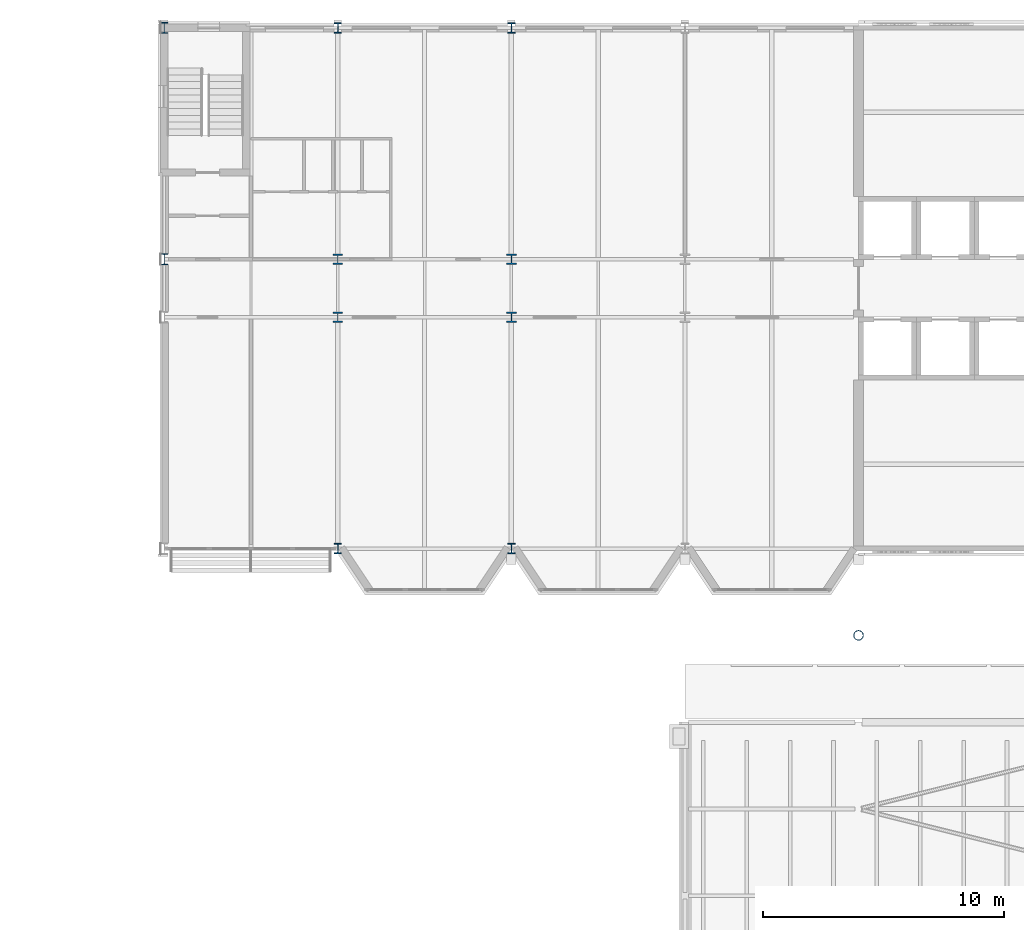
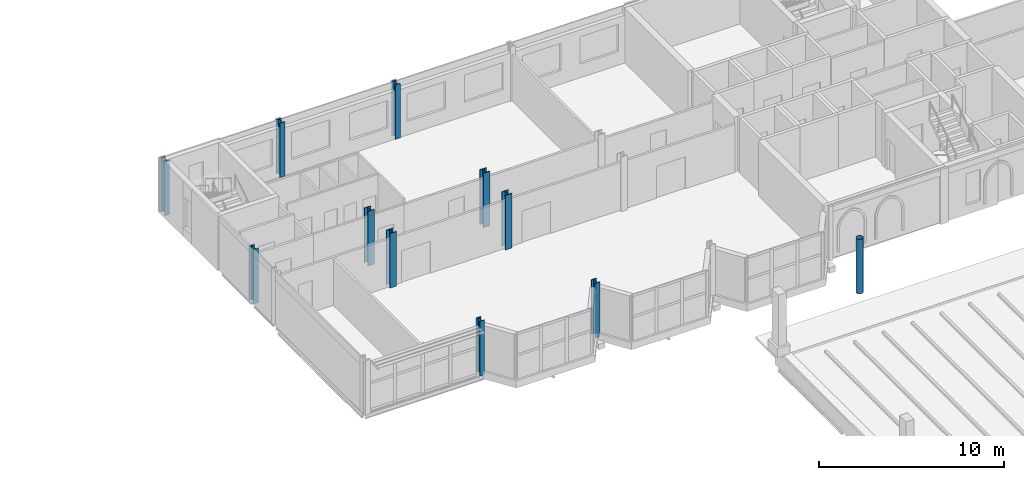
# One storey, part 6 of 120: 11 columns.
"""IFC4 building model written with IfcOpenShell, lengths in metres."""

import ifcopenshell
import ifcopenshell.guid

model = None  # the IFC model being written
_history = None  # IfcOwnerHistory: only IFC2X3 demands one
_inside = {}  # id of a spatial element -> (the spatial element, [elements in it])
_under = {}  # id of a project, library or spatial element -> (it, [spatial elements below it])
_declared = {}  # id of a project -> (the project, [libraries it declares])
_typed = {}  # id of a type object -> (the type object, [elements of that type])
_made_of = {}  # id of a material, layer set ... -> (it, [elements and type objects made of it])


def new_model(schema):
    """Start an empty IFC model of exactly this schema.

    Asked for "IFC4X3", IfcOpenShell would pick the latest addendum, in which some entities
    have other attributes; the version numbers below select the first issue.
    IFC2X3 requires an IfcOwnerHistory on every rooted entity: one is made here for all.
    """
    global model, _history
    if schema == "IFC4X3":
        model = ifcopenshell.file(schema_version=(4, 3, 0, 0))
    else:
        model = ifcopenshell.file(schema=schema)
    _inside.clear()
    _under.clear()
    _declared.clear()
    _typed.clear()
    _made_of.clear()
    _history = None
    if model.schema == "IFC2X3":
        org = make("IfcOrganization", Name="unknown")
        user = make(
            "IfcPersonAndOrganization",
            ThePerson=make("IfcPerson", FamilyName="unknown"),
            TheOrganization=org,
        )
        app = make(
            "IfcApplication",
            ApplicationDeveloper=org,
            Version="unknown",
            ApplicationFullName="unknown",
            ApplicationIdentifier="unknown",
        )
        _history = make(
            "IfcOwnerHistory",
            OwningUser=user,
            OwningApplication=app,
            ChangeAction="ADDED",
            CreationDate=0,
        )
    return model


def make(cls, **values):
    """One entity of the class cls with the attributes given. An attribute that is None is left unset."""
    return model.create_entity(
        cls, **{name: value for name, value in values.items() if value is not None}
    )


def rooted(cls, **values):
    """An entity with a GlobalId (a new one), such as an element, a storey or a relation."""
    return make(cls, GlobalId=ifcopenshell.guid.new(), OwnerHistory=_history, **values)


def si_unit(unit_type, name, prefix=None):
    """IfcSIUnit, for example si_unit("LENGTHUNIT", "METRE", prefix="MILLI")."""
    return make("IfcSIUnit", UnitType=unit_type, Prefix=prefix, Name=name)


def assignment(units):
    """IfcUnitAssignment: the units of a project."""
    return None if units is None else make("IfcUnitAssignment", Units=units)


def point(xyz):
    """IfcCartesianPoint."""
    return None if xyz is None else make("IfcCartesianPoint", Coordinates=xyz)


def direction(xyz):
    """IfcDirection."""
    return None if xyz is None else make("IfcDirection", DirectionRatios=xyz)


def frame(location, z_axis=None, x_axis=None):
    """IfcAxis2Placement3D, a coordinate frame: its origin and axes. An axis left out is left unset."""
    return make(
        "IfcAxis2Placement3D",
        Location=point(location),
        Axis=direction(z_axis),
        RefDirection=direction(x_axis),
    )


def frame_2d(location, x_axis=None):
    """IfcAxis2Placement2D, a coordinate frame in the plane: its origin and x axis."""
    return make(
        "IfcAxis2Placement2D", Location=point(location), RefDirection=direction(x_axis)
    )


def origin():
    """The frame at (0, 0, 0) with its axes left unset."""
    return frame((0.0, 0.0, 0.0))


def origin_2d():
    """The frame at (0, 0) in the plane with its x axis left unset."""
    return frame_2d((0.0, 0.0))


def place(relative_to, where):
    """IfcLocalPlacement: puts the frame where relative to a parent placement (None: the world)."""
    return make(
        "IfcLocalPlacement", PlacementRelTo=relative_to, RelativePlacement=where
    )


def context(
    kind, dimensions, precision=None, world=None, true_north=None, identifier=None
):
    """IfcGeometricRepresentationContext, for example the 3D "Model" context."""
    return make(
        "IfcGeometricRepresentationContext",
        ContextIdentifier=identifier,
        ContextType=kind,
        CoordinateSpaceDimension=dimensions,
        Precision=precision,
        WorldCoordinateSystem=world,
        TrueNorth=true_north,
    )


def subcontext(parent, identifier, kind, view, scale=None):
    """IfcGeometricRepresentationSubContext, for example "Body" below "Model"."""
    return make(
        "IfcGeometricRepresentationSubContext",
        ContextIdentifier=identifier,
        ContextType=kind,
        ParentContext=parent,
        TargetScale=scale,
        TargetView=view,
    )


def project(units=None, contexts=None):
    """IfcProject with its units and contexts."""
    return rooted(
        "IfcProject",
        Name="project",
        RepresentationContexts=contexts,
        UnitsInContext=assignment(units),
    )


def spatial(cls, under=None, at=None, **own):
    """A site, building, storey or space (cls), placed at a placement, below another one or the project."""
    s = rooted(cls, ObjectPlacement=at, **own)
    if under is not None:
        _under.setdefault(under.id(), (under, []))[1].append(s)
    return s


def profile(cls, at=None, kind="AREA", **sizes):
    """A parametric profile (cls). Its sizes go by their IFC names, for example OverallWidth=200.0."""
    return make(cls, ProfileType=kind, Position=at, **sizes)


def hollow_circle(**sizes):
    """IfcCircleHollowProfileDef."""
    return profile("IfcCircleHollowProfileDef", **sizes)


def i_section(**sizes):
    """IfcIShapeProfileDef."""
    return profile("IfcIShapeProfileDef", **sizes)


def extrude(swept, where, along, depth):
    """IfcExtrudedAreaSolid: the profile swept, set in the frame where, extruded along a direction by depth."""
    return make(
        "IfcExtrudedAreaSolid",
        SweptArea=swept,
        Position=where,
        ExtrudedDirection=direction(along),
        Depth=depth,
    )


def shape(context_of_items, identifier, shape_type, items):
    """IfcShapeRepresentation: the items that make up one representation, for example the "Body"."""
    return make(
        "IfcShapeRepresentation",
        ContextOfItems=context_of_items,
        RepresentationIdentifier=identifier,
        RepresentationType=shape_type,
        Items=items,
    )


def material(Name=None, Category=None):
    """IfcMaterial."""
    return make("IfcMaterial", Name=Name, Category=Category)


def material_profile(
    of_material, cross_section, Name=None, Category=None, Priority=None
):
    """IfcMaterialProfile: a cross section and its material."""
    return make(
        "IfcMaterialProfile",
        Name=Name,
        Material=of_material,
        Profile=cross_section,
        Priority=Priority,
        Category=Category,
    )


def profile_set(profiles, Name=None, composite=None):
    """IfcMaterialProfileSet."""
    return make(
        "IfcMaterialProfileSet",
        Name=Name,
        MaterialProfiles=profiles,
        CompositeProfile=composite,
    )


def made_of(thing, what):
    """Note that an element or type object is made of a material, layer set ...; save() writes the relation."""
    if what is not None:
        _made_of.setdefault(what.id(), (what, []))[1].append(thing)
    return thing


def type_object(cls, material=None, **own):
    """A type object (cls), such as IfcWallType, which elements share."""
    return made_of(rooted(cls, **own), material)


def element(
    cls,
    number,
    at=None,
    inside=None,
    cuts=None,
    type_object=None,
    material=None,
    context=None,
    identifier="Body",
    shape_type=None,
    held_by="IfcProductDefinitionShape",
    body=None,
    shapes=None,
    **own,
):
    """One element of the class cls, such as IfcWall. Its Tag is "e" and its number.

    at: its placement. inside: the storey or other place that contains it. cuts: it is an
    opening in that element (IfcRelVoidsElement). A single representation is given by context,
    identifier, shape_type and body (its items); several are given by shapes. held_by: the class
    of the entity that holds the representations. save() writes the other relations.
    """
    e = rooted(cls, Tag="e%d" % number, ObjectPlacement=at, **own)
    if body is not None:
        shapes = [shape(context, identifier, shape_type, body)]
    if shapes is not None:
        e.Representation = make(held_by, Representations=shapes)
    if inside is not None:
        _inside.setdefault(inside.id(), (inside, []))[1].append(e)
    if cuts is not None:
        rooted(
            "IfcRelVoidsElement", RelatingBuildingElement=cuts, RelatedOpeningElement=e
        )
    if type_object is not None:
        _typed.setdefault(type_object.id(), (type_object, []))[1].append(e)
    return made_of(e, material)


def aggregate(whole, parts):
    """IfcRelAggregates: a whole, such as a stair, and the parts it consists of."""
    return rooted("IfcRelAggregates", RelatingObject=whole, RelatedObjects=parts)


def save(model, path):
    """Write the relations noted so far, then the file.

    IfcRelAggregates (storeys below a building ...), IfcRelContainedInSpatialStructure (elements
    in a storey), IfcRelDefinesByType, IfcRelAssociatesMaterial and IfcRelDeclares: one each for
    every whole, place, type object, material and project.
    """
    for whole, parts in _under.values():
        aggregate(whole, parts)
    for where, things in _inside.values():
        rooted(
            "IfcRelContainedInSpatialStructure",
            RelatedElements=things,
            RelatingStructure=where,
        )
    for kind, things in _typed.values():
        rooted("IfcRelDefinesByType", RelatedObjects=things, RelatingType=kind)
    for what, things in _made_of.values():
        rooted("IfcRelAssociatesMaterial", RelatedObjects=things, RelatingMaterial=what)
    for by, libraries in _declared.values():
        rooted("IfcRelDeclares", RelatingContext=by, RelatedDefinitions=libraries)
    model.write(path)


model = new_model("IFC4")

# Units and contexts
model_context = context("Model", 3, precision=1e-05, world=origin(), true_north=direction((0.0, 1.0)))
body_context = subcontext(model_context, "Body", "Model", "MODEL_VIEW")
ifc_project = project(units=[si_unit("LENGTHUNIT", "METRE"), si_unit("AREAUNIT", "SQUARE_METRE"), si_unit("VOLUMEUNIT", "CUBIC_METRE"), si_unit("PLANEANGLEUNIT", "RADIAN"), si_unit("MASSUNIT", "GRAM", prefix="KILO")], contexts=[model_context])

# Site, building, storey
site_placement = place(None, origin())
site = spatial("IfcSite", under=ifc_project, at=site_placement, CompositionType="ELEMENT")
building_placement = place(site_placement, origin())
building = spatial("IfcBuilding", under=site, at=building_placement, Name="Kupolbacken Congress Centre", CompositionType="ELEMENT")
storey_placement = place(building_placement, frame((0.0, 0.0, 21.60009765625)))
storey = spatial("IfcBuildingStorey", under=building, at=storey_placement, Name="L06", CompositionType="ELEMENT", Elevation=21.60009765625)

# Columns
ifc_material_1 = material(Name="Steel S355", Category="steel")
ifc_material_profile_1 = material_profile(ifc_material_1, i_section(OverallWidth=0.408935546875, OverallDepth=0.425048828125, WebThickness=0.03271484375, FlangeThickness=0.052490234375, FilletRadius=0.014892578125, at=origin_2d()), Name="HD 400 x 421")
ifc_profile_set_1 = profile_set([ifc_material_profile_1], Name="Steel S355")
column_type_1 = type_object("IfcColumnType", Name="C01 column HD 400 x 421", PredefinedType="COLUMN", material=ifc_profile_set_1)
for number, where, z_axis, x_axis, name in (
    (1, (72.0, 132.0, 0.0), (0.0, 0.0, 1.0), (1.0, 0.0, 0.0), "S/col/C-T-11U+2400/L06"),
    (2, (72.0, 134.39990234375, 0.0), (0.0, 0.0, 1.0), (1.0, 0.0, 0.0), "S/col/C-T-11U+4800/L06"),
    (3, (79.199951171875, 132.0, 0.0), (0.0, 0.0, 1.0), (1.0, 0.0, 0.0), "S/col/C-T-12U+2400/L06"),
    (4, (79.199951171875, 134.39990234375, 0.0), (0.0, 0.0, 1.0), (1.0, 0.0, 0.0), "S/col/C-T-12U+4800/L06"),
):
    element("IfcColumn", number, at=place(storey_placement, frame(where, z_axis=z_axis, x_axis=x_axis)), inside=storey, type_object=column_type_1, Name=name, PredefinedType="COLUMN", context=body_context, shape_type="SweptSolid", body=[
        extrude(i_section(OverallWidth=0.408935546875, OverallDepth=0.425048828125, WebThickness=0.03271484375, FlangeThickness=0.052490234375, FilletRadius=0.014892578125, at=origin_2d()), origin(), (0.0, 0.0, 1.0), 3.599853515625),
    ])
ifc_material_2 = material(Name="Steel S355", Category="steel")
ifc_material_profile_2 = material_profile(ifc_material_2, i_section(OverallWidth=0.306884765625, OverallDepth=0.431884765625, WebThickness=0.02099609375, FlangeThickness=0.0400390625, FilletRadius=0.027099609375, at=origin_2d()), Name="HEM 400")
ifc_profile_set_2 = profile_set([ifc_material_profile_2], Name="Steel S355")
column_type_2 = type_object("IfcColumnType", Name="C02 column HEM 400", PredefinedType="COLUMN", material=ifc_profile_set_2)
for number, where, z_axis, x_axis, name in (
    (5, (72.0, 122.39990234375, 0.0), (0.0, 0.0, 1.0), (1.0, 0.0, 0.0), "S/col/C-T-11T/L06"),
    (6, (72.0, 144.0, 0.0), (0.0, 0.0, 1.0), (1.0, 0.0, 0.0), "S/col/C-T-11W/L06"),
    (7, (79.199951171875, 122.39990234375, 0.0), (0.0, 0.0, 1.0), (1.0, 0.0, 0.0), "S/col/C-T-12T/L06"),
    (8, (79.199951171875, 144.0, 0.0), (0.0, 0.0, 1.0), (1.0, 0.0, 0.0), "S/col/C-T-12W/L06"),
):
    element("IfcColumn", number, at=place(storey_placement, frame(where, z_axis=z_axis, x_axis=x_axis)), inside=storey, type_object=column_type_2, Name=name, PredefinedType="COLUMN", context=body_context, shape_type="SweptSolid", body=[
        extrude(i_section(OverallWidth=0.306884765625, OverallDepth=0.431884765625, WebThickness=0.02099609375, FlangeThickness=0.0400390625, FilletRadius=0.027099609375, at=origin_2d()), origin(), (0.0, 0.0, 1.0), 3.599853515625),
    ])
ifc_material_3 = material(Name="Steel S355", Category="steel")
ifc_material_profile_3 = material_profile(ifc_material_3, i_section(OverallWidth=0.300048828125, OverallDepth=0.449951171875, WebThickness=0.013916015625, FlangeThickness=0.02587890625, FilletRadius=0.027099609375, at=origin_2d()), Name="HEB 450")
ifc_profile_set_3 = profile_set([ifc_material_profile_3], Name="Steel S355")
column_type_3 = type_object("IfcColumnType", Name="C03 column HEB 450", PredefinedType="COLUMN", material=ifc_profile_set_3)
for number, where, z_axis, x_axis, name in (
    (9, (64.800048828125, 134.39990234375, 0.0), (0.0, 0.0, 1.0), (1.0, 0.0, 0.0), "S/col/C-T-10U+4800/L06"),
    (10, (64.800048828125, 144.0, 0.0), (0.0, 0.0, 1.0), (1.0, 0.0, 0.0), "S/col/C-T-10W/L06"),
):
    element("IfcColumn", number, at=place(storey_placement, frame(where, z_axis=z_axis, x_axis=x_axis)), inside=storey, type_object=column_type_3, Name=name, PredefinedType="COLUMN", context=body_context, shape_type="SweptSolid", body=[
        extrude(i_section(OverallWidth=0.300048828125, OverallDepth=0.449951171875, WebThickness=0.013916015625, FlangeThickness=0.02587890625, FilletRadius=0.027099609375, at=origin_2d()), origin(), (0.0, 0.0, 1.0), 3.599853515625),
    ])
ifc_material_4 = material(Name="Steel S355", Category="steel")
ifc_material_profile_4 = material_profile(ifc_material_4, hollow_circle(Radius=0.203125, WallThickness=0.01611328125, at=origin_2d()), Name="CHS 406.4 x 16")
ifc_profile_set_4 = profile_set([ifc_material_profile_4], Name="Steel S355")
column_type_4 = type_object("IfcColumnType", Name="C15 roof mast CHS 406.4 x 16", PredefinedType="COLUMN", material=ifc_profile_set_4)
column_placement = place(storey_placement, frame((93.60009765625, 118.800048828125, 0.0), z_axis=(0.0, 0.0, 1.0), x_axis=(1.0, 0.0, 0.0)))
element("IfcColumn", 11, at=column_placement, inside=storey, type_object=column_type_4, Name="Roof mast M1N", PredefinedType="COLUMN", context=body_context, shape_type="SweptSolid", body=[
    extrude(hollow_circle(Radius=0.203125, WallThickness=0.01611328125, at=origin_2d()), origin(), (0.0, 0.0, 1.0), 3.599853515625),
])

save(model, "model.ifc")
